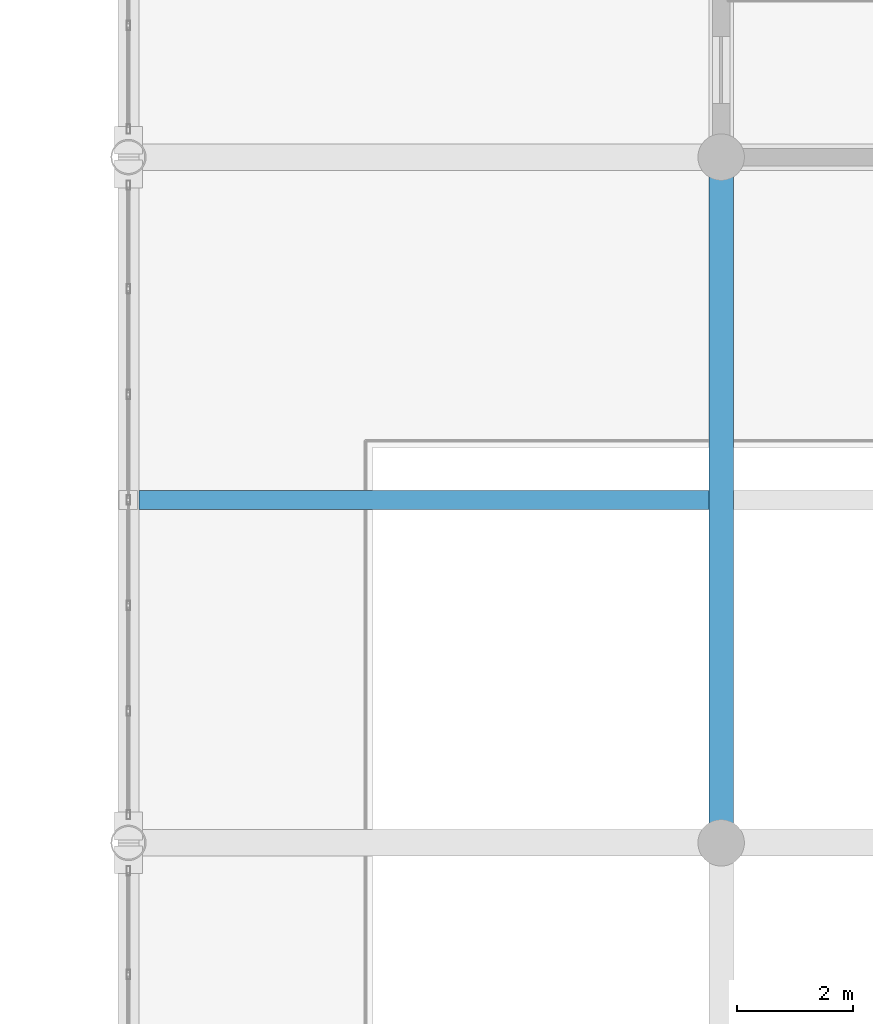
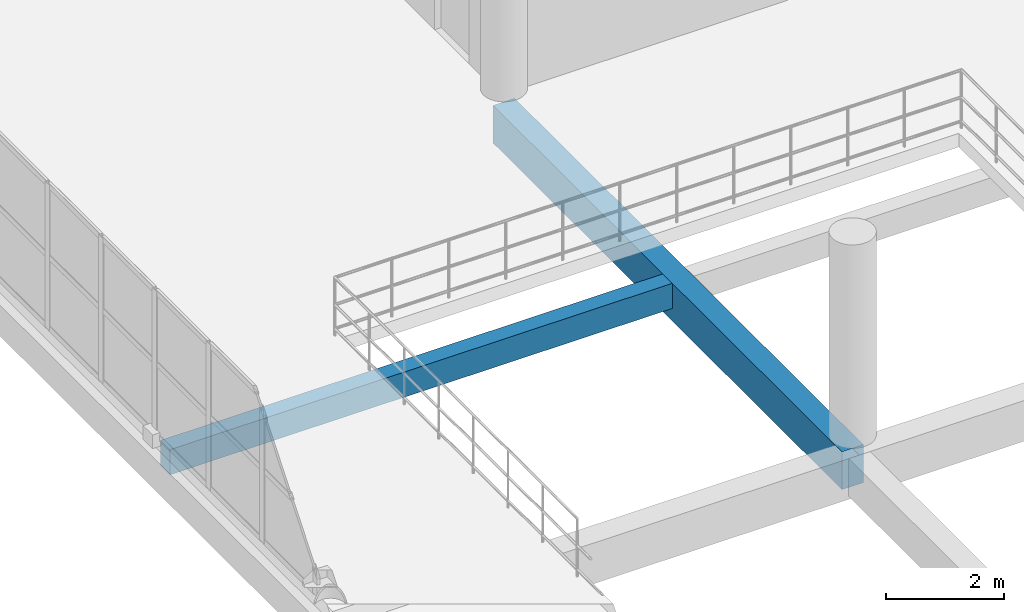
# One storey, part 70 of 157: 2 beams.
"""IFC4 building model written with IfcOpenShell, lengths in metres."""

from ifc_helpers import new_model, si_unit, direction, frame, origin, origin_2d, place, context, subcontext, project, spatial, rectangle, extrude, material, material_profile, profile_set, type_object, element, save


model = new_model("IFC4")

# Units and contexts
model_context = context("Model", 3, precision=1e-05, world=origin(), true_north=direction((0.0, 1.0)))
body_context = subcontext(model_context, "Body", "Model", "MODEL_VIEW")
ifc_project = project(units=[si_unit("LENGTHUNIT", "METRE"), si_unit("AREAUNIT", "SQUARE_METRE"), si_unit("VOLUMEUNIT", "CUBIC_METRE"), si_unit("PLANEANGLEUNIT", "RADIAN"), si_unit("MASSUNIT", "GRAM", prefix="KILO")], contexts=[model_context])

# Site, building, storey
site_placement = place(None, origin())
site = spatial("IfcSite", under=ifc_project, at=site_placement, CompositionType="ELEMENT")
building_placement = place(site_placement, origin())
building = spatial("IfcBuilding", under=site, at=building_placement, Name="Brelvane Convention Centre", CompositionType="ELEMENT")
storey_placement = place(building_placement, frame((0.0, 0.0, 10.800048828125)))
storey = spatial("IfcBuildingStorey", under=building, at=storey_placement, Name="L02", CompositionType="ELEMENT", Elevation=10.800048828125)

# Beams
ifc_material_1 = material(Name="Concrete M40", Category="concrete")
ifc_material_profile_1 = material_profile(ifc_material_1, rectangle(XDim=0.419921875, YDim=0.780029296875, at=origin_2d()), Name="RC 420x780")
ifc_profile_set_1 = profile_set([ifc_material_profile_1], Name="Concrete M40")
beam_type_1 = type_object("IfcBeamType", Name="RC Beam B-RC12 (RC 420x780)", PredefinedType="BEAM", material=ifc_profile_set_1)
beam_1_placement = place(storey_placement, frame((153.0, 64.199951171875, -0.670166015625), z_axis=(0.0, 1.0, 0.0), x_axis=(-1.0, 0.0, 0.0)))
element("IfcBeam", 1, at=beam_1_placement, inside=storey, type_object=beam_type_1, Name="L02 Girder 16/G-H", PredefinedType="BEAM", context=body_context, shape_type="SweptSolid", body=[
    extrude(rectangle(XDim=0.419921875, YDim=0.780029296875, at=origin_2d()), origin(), (0.0, 0.0, 1.0), 11.800048828125),
])
ifc_material_2 = material(Name="Concrete M40", Category="concrete")
ifc_material_profile_2 = material_profile(ifc_material_2, rectangle(XDim=0.320068359375, YDim=0.52001953125, at=origin_2d()), Name="RC 320x520")
ifc_profile_set_2 = profile_set([ifc_material_profile_2], Name="Concrete M40")
beam_type_2 = type_object("IfcBeamType", Name="RC Joist J-RC4 (RC 320x520)", PredefinedType="JOIST", material=ifc_profile_set_2)
beam_2_placement = place(storey_placement, frame((142.97998046875, 70.10009765625, -0.5400390625), z_axis=(1.0, 0.0, 0.0), x_axis=(0.0, 1.0, 0.0)))
element("IfcBeam", 2, at=beam_2_placement, inside=storey, type_object=beam_type_2, Name="L02 Secondary Joist 15-16/GH", PredefinedType="JOIST", context=body_context, shape_type="SweptSolid", body=[
    extrude(rectangle(XDim=0.320068359375, YDim=0.52001953125, at=origin_2d()), origin(), (0.0, 0.0, 1.0), 9.81005859375),
])

save(model, "model.ifc")
